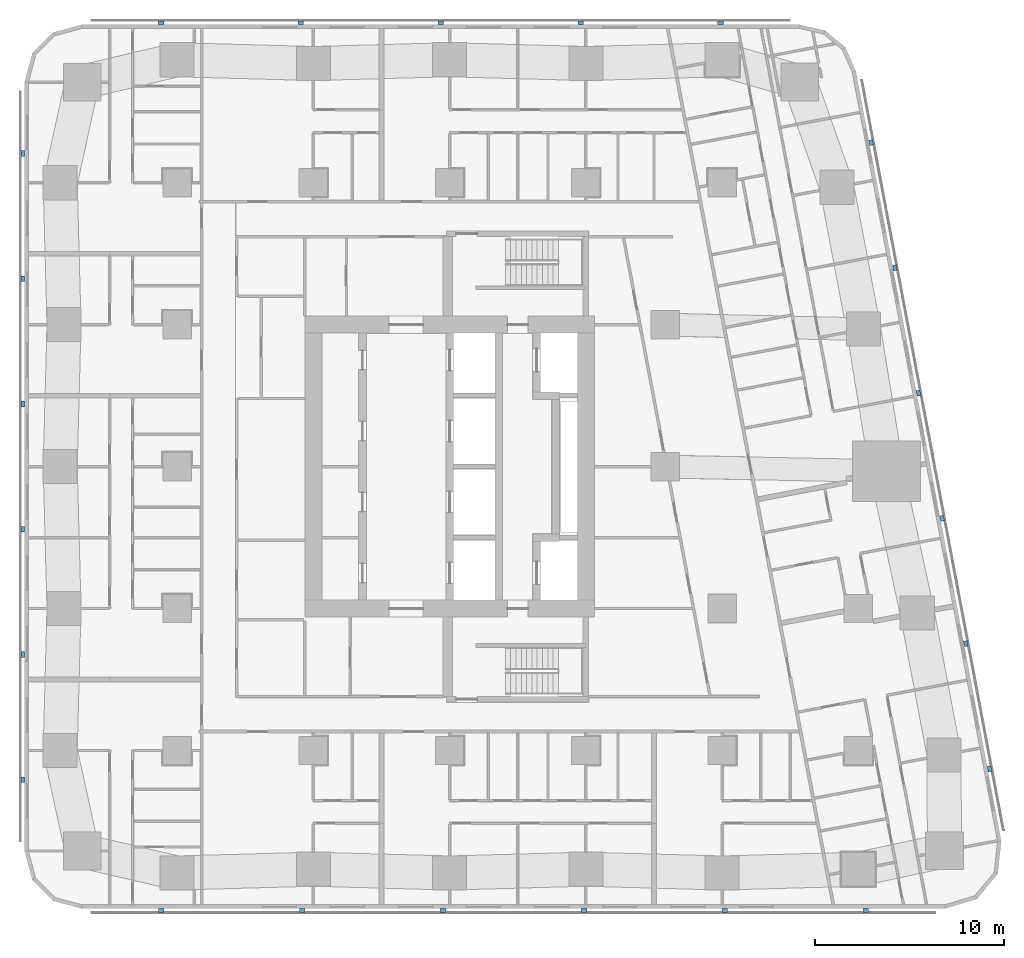
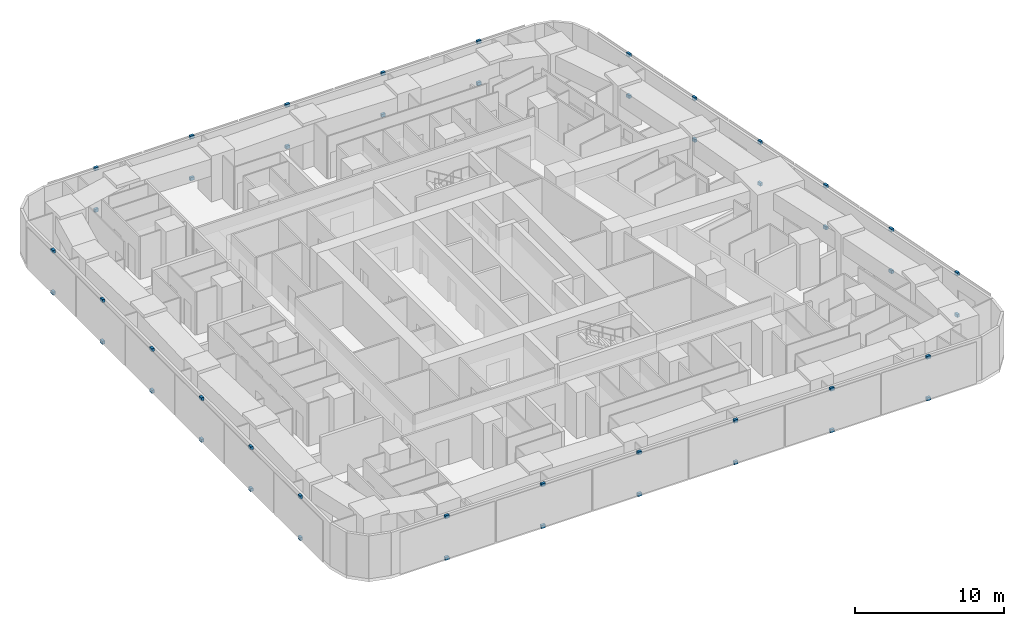
# One storey, part 12 of 15: 46 discrete accessories.
"""IFC4 building model written with IfcOpenShell, lengths in metres."""

from ifc_helpers import new_model, si_unit, direction, frame, origin, origin_2d, place, context, subcontext, project, spatial, rectangle, extrude, material, type_object, element, save


model = new_model("IFC4")

# Units and contexts
model_context = context("Model", 3, precision=1e-05, world=origin(), true_north=direction((0.0, 1.0)))
body_context = subcontext(model_context, "Body", "Model", "MODEL_VIEW")
ifc_project = project(units=[si_unit("LENGTHUNIT", "METRE"), si_unit("AREAUNIT", "SQUARE_METRE"), si_unit("VOLUMEUNIT", "CUBIC_METRE"), si_unit("PLANEANGLEUNIT", "RADIAN"), si_unit("MASSUNIT", "GRAM", prefix="KILO")], contexts=[model_context])

# Site, building, storey
site_placement = place(None, origin())
site = spatial("IfcSite", under=ifc_project, at=site_placement, CompositionType="ELEMENT")
building_placement = place(site_placement, origin())
building = spatial("IfcBuilding", under=site, at=building_placement, Name="Sheger Commons Tower", CompositionType="ELEMENT")
storey_placement = place(building_placement, frame((0.0, 0.0, 143.300048828125)))
storey = spatial("IfcBuildingStorey", under=building, at=storey_placement, Name="L36", CompositionType="ELEMENT", Elevation=143.300048828125)

# Discrete accessories
ifc_material = material(Name="Black painted steel bracket", Category="steel")
discrete_accessory_type = type_object("IfcDiscreteAccessoryType", Name="SCREEN BRACKET 300x200x250", PredefinedType="BRACKET", material=ifc_material)
for number, where, z_axis, x_axis, name in (
    (1, (6.37109375, -0.949951171875, -0.10009765625), (0.0, 0.0, 1.0), (1.0, 0.0, 0.0), "Solar screen foot bracket"),
    (2, (6.37109375, -0.949951171875, 3.300048828125), (0.0, 0.0, 1.0), (1.0, 0.0, 0.0), "Solar screen head bracket"),
    (3, (13.81396484375, -0.949951171875, -0.10009765625), (0.0, 0.0, 1.0), (1.0, 0.0, 0.0), "Solar screen foot bracket"),
    (4, (13.81396484375, -0.949951171875, 3.300048828125), (0.0, 0.0, 1.0), (1.0, 0.0, 0.0), "Solar screen head bracket"),
    (5, (21.257080078125, -0.949951171875, -0.10009765625), (0.0, 0.0, 1.0), (1.0, 0.0, 0.0), "Solar screen foot bracket"),
    (6, (21.257080078125, -0.949951171875, 3.300048828125), (0.0, 0.0, 1.0), (1.0, 0.0, 0.0), "Solar screen head bracket"),
    (7, (28.698974609375, -0.949951171875, -0.10009765625), (0.0, 0.0, 1.0), (1.0, 0.0, 0.0), "Solar screen foot bracket"),
    (8, (28.698974609375, -0.949951171875, 3.300048828125), (0.0, 0.0, 1.0), (1.0, 0.0, 0.0), "Solar screen head bracket"),
    (9, (36.14208984375, -0.949951171875, -0.10009765625), (0.0, 0.0, 1.0), (1.0, 0.0, 0.0), "Solar screen foot bracket"),
    (10, (36.14208984375, -0.949951171875, 3.300048828125), (0.0, 0.0, 1.0), (1.0, 0.0, 0.0), "Solar screen head bracket"),
    (11, (43.5849609375, -0.949951171875, -0.10009765625), (0.0, 0.0, 1.0), (1.0, 0.0, 0.0), "Solar screen foot bracket"),
    (12, (43.5849609375, -0.949951171875, 3.300048828125), (0.0, 0.0, 1.0), (1.0, 0.0, 0.0), "Solar screen head bracket"),
    (13, (50.134033203125, 6.527099609375, -0.10009765625), (0.0, 0.0, 1.0), (-0.185615165645, 0.982622516678, 0.0), "Solar screen foot bracket"),
    (14, (50.134033203125, 6.527099609375, 3.300048828125), (0.0, 0.0, 1.0), (-0.185615165645, 0.982622516678, 0.0), "Solar screen head bracket"),
    (15, (48.884033203125, 13.14599609375, -0.10009765625), (0.0, 0.0, 1.0), (-0.185615165645, 0.982622516678, 0.0), "Solar screen foot bracket"),
    (16, (48.884033203125, 13.14599609375, 3.300048828125), (0.0, 0.0, 1.0), (-0.185615165645, 0.982622516678, 0.0), "Solar screen head bracket"),
    (17, (47.633056640625, 19.76611328125, -0.10009765625), (0.0, 0.0, 1.0), (-0.185615165645, 0.982622516678, 0.0), "Solar screen foot bracket"),
    (18, (47.633056640625, 19.76611328125, 3.300048828125), (0.0, 0.0, 1.0), (-0.185615165645, 0.982622516678, 0.0), "Solar screen head bracket"),
    (19, (46.383056640625, 26.385009765625, -0.10009765625), (0.0, 0.0, 1.0), (-0.185615165645, 0.982622516678, 0.0), "Solar screen foot bracket"),
    (20, (46.383056640625, 26.385009765625, 3.300048828125), (0.0, 0.0, 1.0), (-0.185615165645, 0.982622516678, 0.0), "Solar screen head bracket"),
    (21, (45.133056640625, 33.0048828125, -0.10009765625), (0.0, 0.0, 1.0), (-0.185615165645, 0.982622516678, 0.0), "Solar screen foot bracket"),
    (22, (45.133056640625, 33.0048828125, 3.300048828125), (0.0, 0.0, 1.0), (-0.185615165645, 0.982622516678, 0.0), "Solar screen head bracket"),
    (23, (43.882080078125, 39.6240234375, -0.10009765625), (0.0, 0.0, 1.0), (-0.185615165645, 0.982622516678, 0.0), "Solar screen foot bracket"),
    (24, (43.882080078125, 39.6240234375, 3.300048828125), (0.0, 0.0, 1.0), (-0.185615165645, 0.982622516678, 0.0), "Solar screen head bracket"),
    (25, (35.9208984375, 45.949951171875, -0.10009765625), (0.0, 0.0, 1.0), (-1.0, 0.0, 0.0), "Solar screen foot bracket"),
    (26, (35.9208984375, 45.949951171875, 3.300048828125), (0.0, 0.0, 1.0), (-1.0, 0.0, 0.0), "Solar screen head bracket"),
    (27, (28.528076171875, 45.949951171875, -0.10009765625), (0.0, 0.0, 1.0), (-1.0, 0.0, 0.0), "Solar screen foot bracket"),
    (28, (28.528076171875, 45.949951171875, 3.300048828125), (0.0, 0.0, 1.0), (-1.0, 0.0, 0.0), "Solar screen head bracket"),
    (29, (21.134033203125, 45.949951171875, -0.10009765625), (0.0, 0.0, 1.0), (-1.0, 0.0, 0.0), "Solar screen foot bracket"),
    (30, (21.134033203125, 45.949951171875, 3.300048828125), (0.0, 0.0, 1.0), (-1.0, 0.0, 0.0), "Solar screen head bracket"),
    (31, (13.739990234375, 45.949951171875, -0.10009765625), (0.0, 0.0, 1.0), (-1.0, 0.0, 0.0), "Solar screen foot bracket"),
    (32, (13.739990234375, 45.949951171875, 3.300048828125), (0.0, 0.0, 1.0), (-1.0, 0.0, 0.0), "Solar screen head bracket"),
    (33, (6.346923828125, 45.949951171875, -0.10009765625), (0.0, 0.0, 1.0), (-1.0, 0.0, 0.0), "Solar screen foot bracket"),
    (34, (6.346923828125, 45.949951171875, 3.300048828125), (0.0, 0.0, 1.0), (-1.0, 0.0, 0.0), "Solar screen head bracket"),
    (35, (-0.949951171875, 39.0419921875, -0.10009765625), (0.0, 0.0, 1.0), (0.0, -1.0, 0.0), "Solar screen foot bracket"),
    (36, (-0.949951171875, 39.0419921875, 3.300048828125), (0.0, 0.0, 1.0), (0.0, -1.0, 0.0), "Solar screen head bracket"),
    (37, (-0.949951171875, 32.425048828125, -0.10009765625), (0.0, 0.0, 1.0), (0.0, -1.0, 0.0), "Solar screen foot bracket"),
    (38, (-0.949951171875, 32.425048828125, 3.300048828125), (0.0, 0.0, 1.0), (0.0, -1.0, 0.0), "Solar screen head bracket"),
    (39, (-0.949951171875, 25.80810546875, -0.10009765625), (0.0, 0.0, 1.0), (0.0, -1.0, 0.0), "Solar screen foot bracket"),
    (40, (-0.949951171875, 25.80810546875, 3.300048828125), (0.0, 0.0, 1.0), (0.0, -1.0, 0.0), "Solar screen head bracket"),
    (41, (-0.949951171875, 19.19189453125, -0.10009765625), (0.0, 0.0, 1.0), (0.0, -1.0, 0.0), "Solar screen foot bracket"),
    (42, (-0.949951171875, 19.19189453125, 3.300048828125), (0.0, 0.0, 1.0), (0.0, -1.0, 0.0), "Solar screen head bracket"),
    (43, (-0.949951171875, 12.574951171875, -0.10009765625), (0.0, 0.0, 1.0), (0.0, -1.0, 0.0), "Solar screen foot bracket"),
    (44, (-0.949951171875, 12.574951171875, 3.300048828125), (0.0, 0.0, 1.0), (0.0, -1.0, 0.0), "Solar screen head bracket"),
    (45, (-0.949951171875, 5.9580078125, -0.10009765625), (0.0, 0.0, 1.0), (0.0, -1.0, 0.0), "Solar screen foot bracket"),
    (46, (-0.949951171875, 5.9580078125, 3.300048828125), (0.0, 0.0, 1.0), (0.0, -1.0, 0.0), "Solar screen head bracket"),
):
    element("IfcDiscreteAccessory", number, at=place(storey_placement, frame(where, z_axis=z_axis, x_axis=x_axis)), inside=storey, type_object=discrete_accessory_type, Name=name, PredefinedType="BRACKET", context=body_context, shape_type="SweptSolid", body=[
        extrude(rectangle(XDim=0.300048828125, YDim=0.199951171875, at=origin_2d()), origin(), (0.0, 0.0, 1.0), 0.25),
    ])

save(model, "model.ifc")
